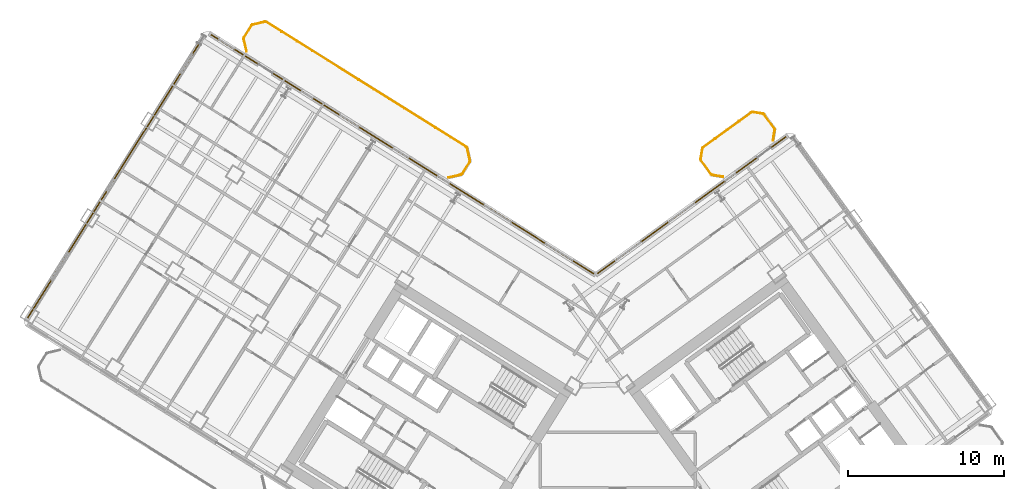
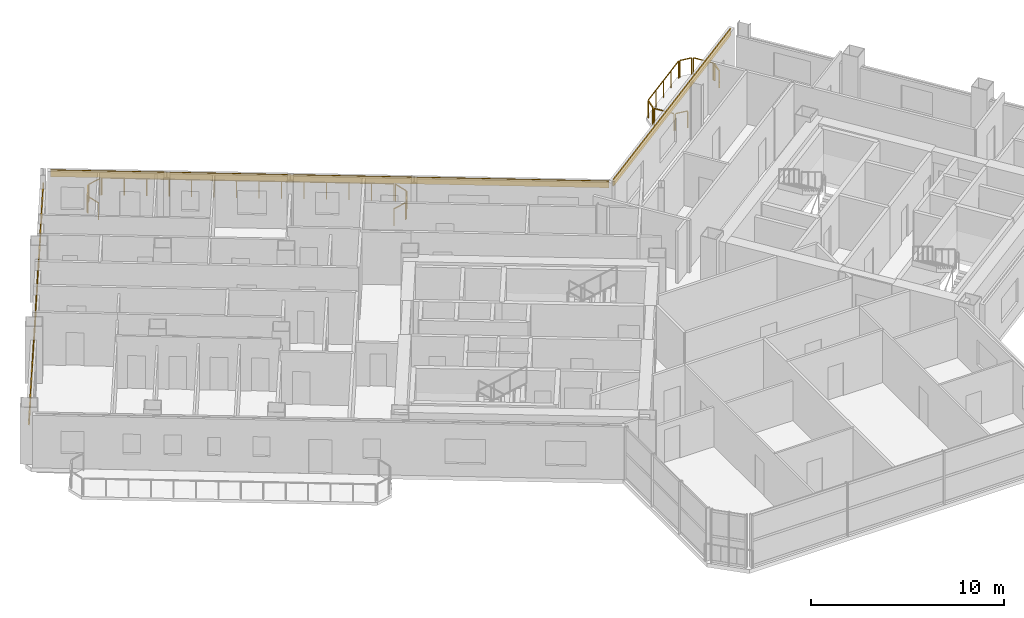
# One storey, part 22 of 22: 14 railings, 3 coverings.
"""IFC4 building model written with IfcOpenShell, lengths in metres."""

from ifc_helpers import new_model, si_unit, direction, frame, origin, origin_2d, place, context, subcontext, project, spatial, rectangle, extrude, source, transform, mapped, material, layer, layer_set, type_object, element, save


model = new_model("IFC4")

# Units and contexts
model_context = context("Model", 3, precision=1e-05, world=origin(), true_north=direction((0.0, 1.0)))
body_context = subcontext(model_context, "Body", "Model", "MODEL_VIEW")
ifc_project = project(units=[si_unit("LENGTHUNIT", "METRE"), si_unit("AREAUNIT", "SQUARE_METRE"), si_unit("VOLUMEUNIT", "CUBIC_METRE"), si_unit("PLANEANGLEUNIT", "RADIAN"), si_unit("MASSUNIT", "GRAM", prefix="KILO")], contexts=[model_context])

# Site, building, storey
site_placement = place(None, origin())
site = spatial("IfcSite", under=ifc_project, at=site_placement, CompositionType="ELEMENT")
building_placement = place(site_placement, origin())
building = spatial("IfcBuilding", under=site, at=building_placement, Name="Tlacorven Tower", CompositionType="ELEMENT")
storey_placement = place(building_placement, frame((0.0, 0.0, 97.199951171875)))
storey = spatial("IfcBuildingStorey", under=building, at=storey_placement, Name="L24", CompositionType="ELEMENT", Elevation=97.199951171875)

# Railings
ifc_material_1 = material(Name="Aluminium and painted steel balustrade", Category="steel")
railing_type = type_object("IfcRailingType", Name="RL-BAL-1100", PredefinedType="BALUSTRADE", material=ifc_material_1)
shared_shape_1 = source(origin(), body_context, "Body", "SweptSolid", [
    extrude(rectangle(XDim=0.048095703125, YDim=0.048095703125, at=origin_2d()), frame((0.0, 0.0, 1.076171875), z_axis=(0.974345290916, 0.225058334816, 0.0), x_axis=(-0.225058334816, 0.974345290916, 0.0)), (0.0, 0.0, 1.0), 0.80712890625),
    extrude(rectangle(XDim=0.0419921875, YDim=0.0419921875, at=origin_2d()), origin(), (0.0, 0.0, 1.0), 1.052001953125),
    extrude(rectangle(XDim=0.0419921875, YDim=0.0419921875, at=origin_2d()), frame((0.786376953125, 0.181640625, 0.0)), (0.0, 0.0, 1.0), 1.052001953125),
])
railing_1_placement = place(storey_placement, frame((20.2138671875, 47.643798828125, 0.0)))
element("IfcRailing", 1, at=railing_1_placement, inside=storey, type_object=railing_type, Name="BAL-L24-W-IN Guard Railing 6", PredefinedType="BALUSTRADE", context=body_context, shape_type="MappedRepresentation", body=[
    mapped(shared_shape_1, transform((0.0, 0.0, 0.0), scale=1.0)),
])
shared_shape_2 = source(origin(), body_context, "Body", "SweptSolid", [
    extrude(rectangle(XDim=0.048095703125, YDim=0.048095703125, at=origin_2d()), frame((0.0, 0.0, 1.076171875), z_axis=(-0.987661653326, 0.156602868908, 0.0), x_axis=(-0.156602868908, -0.987661653326, 0.0)), (0.0, 0.0, 1.0), 0.665771484375),
    extrude(rectangle(XDim=0.0419921875, YDim=0.0419921875, at=origin_2d()), origin(), (0.0, 0.0, 1.0), 1.052001953125),
    extrude(rectangle(XDim=0.0419921875, YDim=0.0419921875, at=origin_2d()), frame((-0.657470703125, 0.104248046875, 0.0)), (0.0, 0.0, 1.0), 1.052001953125),
])
railing_2_placement = place(storey_placement, frame((50.359130859375, 37.891845703125, 0.0)))
element("IfcRailing", 2, at=railing_2_placement, inside=storey, type_object=railing_type, Name="BAL-L24-E-IN Guard Railing 1", PredefinedType="BALUSTRADE", context=body_context, shape_type="MappedRepresentation", body=[
    mapped(shared_shape_2, transform((0.0, 0.0, 0.0), scale=1.0)),
])
shared_shape_3 = source(origin(), body_context, "Body", "SweptSolid", [
    extrude(rectangle(XDim=0.048095703125, YDim=0.048095703125, at=origin_2d()), frame((0.0, 0.0, 1.076171875), z_axis=(0.156602868908, 0.987661653326, 0.0), x_axis=(-0.987661653326, 0.156602868908, 0.0)), (0.0, 0.0, 1.0), 0.665771484375),
    extrude(rectangle(XDim=0.0419921875, YDim=0.0419921875, at=origin_2d()), origin(), (0.0, 0.0, 1.0), 1.052001953125),
    extrude(rectangle(XDim=0.0419921875, YDim=0.0419921875, at=origin_2d()), frame((0.104248046875, 0.657470703125, 0.0)), (0.0, 0.0, 1.0), 1.052001953125),
])
railing_3_placement = place(storey_placement, frame((48.947509765625, 39.033935546875, 0.0)))
element("IfcRailing", 3, at=railing_3_placement, inside=storey, type_object=railing_type, Name="BAL-L24-E-IN Guard Railing 3", PredefinedType="BALUSTRADE", context=body_context, shape_type="MappedRepresentation", body=[
    mapped(shared_shape_3, transform((0.0, 0.0, 0.0), scale=1.0)),
])
shared_shape_4 = source(origin(), body_context, "Body", "SweptSolid", [
    extrude(rectangle(XDim=0.048095703125, YDim=0.048095703125, at=origin_2d()), frame((0.0, 0.0, 1.076171875), z_axis=(-0.156245081039, -0.987718317463, 0.0), x_axis=(0.987718317463, -0.156245081039, 0.0)), (0.0, 0.0, 1.0), 0.66552734375),
    extrude(rectangle(XDim=0.0419921875, YDim=0.0419921875, at=origin_2d()), origin(), (0.0, 0.0, 1.0), 1.052001953125),
    extrude(rectangle(XDim=0.0419921875, YDim=0.0419921875, at=origin_2d()), frame((-0.10400390625, -0.657470703125, 0.0)), (0.0, 0.0, 1.0), 1.052001953125),
])
railing_4_placement = place(storey_placement, frame((53.689453125, 40.893310546875, 0.0)))
element("IfcRailing", 4, at=railing_4_placement, inside=storey, type_object=railing_type, Name="BAL-L24-E-IN Guard Railing 7", PredefinedType="BALUSTRADE", context=body_context, shape_type="MappedRepresentation", body=[
    mapped(shared_shape_4, transform((0.0, 0.0, 0.0), scale=1.0)),
])

# Covering
ifc_material_2 = material(Name="Precast concrete C45/55", Category="concrete")
ifc_layer = layer(ifc_material_2, 0.06005859375)
ifc_layer_set = layer_set([ifc_layer], Name="Precast concrete C45/55")
covering_type = type_object("IfcCoveringType", Name="CV-CLD-TERC", PredefinedType="CLADDING", material=ifc_layer_set)
shared_shape_5 = source(origin(), body_context, "Body", "SweptSolid", [
    extrude(rectangle(XDim=21.287353515625, YDim=0.06005859375, at=origin_2d()), origin(), (0.0, 0.0, 1.0), 0.419921875),
])
covering_1_placement = place(storey_placement, frame((11.419677734375, 37.864013671875, 2.3251953125), z_axis=(0.0, 0.0, 1.0), x_axis=(0.529919147866, 0.848048168871, 0.0)))
element("IfcCovering", 5, at=covering_1_placement, inside=storey, type_object=covering_type, Name="L24 Masonry-Frame Spandrel Cladding 2", PredefinedType="CLADDING", context=body_context, shape_type="MappedRepresentation", body=[
    mapped(shared_shape_5, transform((0.0, 0.0, 0.0), scale=1.0)),
])

# Railings
shared_shape_6 = source(origin(), body_context, "Body", "SweptSolid", [
    extrude(rectangle(XDim=0.048095703125, YDim=0.048095703125, at=origin_2d()), frame((0.0, 0.0, 1.076171875), z_axis=(0.529998940003, 0.847998304005, 0.0), x_axis=(-0.847998304005, 0.529998940003, 0.0)), (0.0, 0.0, 1.0), 0.912109375),
    extrude(rectangle(XDim=0.0419921875, YDim=0.0419921875, at=origin_2d()), origin(), (0.0, 0.0, 1.0), 1.052001953125),
    extrude(rectangle(XDim=0.0419921875, YDim=0.0419921875, at=origin_2d()), frame((0.4833984375, 0.7734375, 0.0)), (0.0, 0.0, 1.0), 1.052001953125),
])
railing_5_placement = place(storey_placement, frame((19.6552734375, 46.816650390625, 0.0)))
element("IfcRailing", 6, at=railing_5_placement, inside=storey, type_object=railing_type, Name="BAL-L24-W-IN Guard Railing 5", PredefinedType="BALUSTRADE", context=body_context, shape_type="MappedRepresentation", body=[
    mapped(shared_shape_6, transform((0.0, 0.0, 0.0), scale=1.0)),
])
shared_shape_7 = source(origin(), body_context, "Body", "SweptSolid", [
    extrude(rectangle(XDim=0.048095703125, YDim=0.048095703125, at=origin_2d()), frame((0.0, 0.0, 1.076171875), z_axis=(0.224992020761, -0.974360606036, 0.0), x_axis=(0.974360606036, 0.224992020761, 0.0)), (0.0, 0.0, 1.0), 0.807373046875),
    extrude(rectangle(XDim=0.0419921875, YDim=0.0419921875, at=origin_2d()), origin(), (0.0, 0.0, 1.0), 1.052001953125),
    extrude(rectangle(XDim=0.0419921875, YDim=0.0419921875, at=origin_2d()), frame((0.181640625, -0.78662109375, 0.0)), (0.0, 0.0, 1.0), 1.052001953125),
])
railing_6_placement = place(storey_placement, frame((33.965087890625, 39.72412109375, 0.0)))
element("IfcRailing", 7, at=railing_6_placement, inside=storey, type_object=railing_type, Name="BAL-L24-W-IN Guard Railing 1", PredefinedType="BALUSTRADE", context=body_context, shape_type="MappedRepresentation", body=[
    mapped(shared_shape_7, transform((0.0, 0.0, 0.0), scale=1.0)),
])
shared_shape_8 = source(origin(), body_context, "Body", "SweptSolid", [
    extrude(rectangle(XDim=0.048095703125, YDim=0.048095703125, at=origin_2d()), frame((0.0, 0.0, 1.076171875), z_axis=(-0.529998940003, -0.847998304005, 0.0), x_axis=(0.847998304005, -0.529998940003, 0.0)), (0.0, 0.0, 1.0), 0.912109375),
    extrude(rectangle(XDim=0.0419921875, YDim=0.0419921875, at=origin_2d()), origin(), (0.0, 0.0, 1.0), 1.052001953125),
    extrude(rectangle(XDim=0.0419921875, YDim=0.0419921875, at=origin_2d()), frame((-0.4833984375, -0.7734375, 0.0)), (0.0, 0.0, 1.0), 1.052001953125),
])
railing_7_placement = place(storey_placement, frame((34.131591796875, 38.846435546875, 0.0)))
element("IfcRailing", 8, at=railing_7_placement, inside=storey, type_object=railing_type, Name="BAL-L24-W-IN Guard Railing 2", PredefinedType="BALUSTRADE", context=body_context, shape_type="MappedRepresentation", body=[
    mapped(shared_shape_8, transform((0.0, 0.0, 0.0), scale=1.0)),
])
shared_shape_9 = source(origin(), body_context, "Body", "SweptSolid", [
    extrude(rectangle(XDim=0.048095703125, YDim=0.048095703125, at=origin_2d()), frame((0.0, 0.0, 1.076171875), z_axis=(-0.974360606036, -0.224992020761, 0.0), x_axis=(0.224992020761, -0.974360606036, 0.0)), (0.0, 0.0, 1.0), 0.807373046875),
    extrude(rectangle(XDim=0.0419921875, YDim=0.0419921875, at=origin_2d()), origin(), (0.0, 0.0, 1.0), 1.052001953125),
    extrude(rectangle(XDim=0.0419921875, YDim=0.0419921875, at=origin_2d()), frame((-0.78662109375, -0.181640625, 0.0)), (0.0, 0.0, 1.0), 1.052001953125),
])
railing_8_placement = place(storey_placement, frame((33.572998046875, 38.019287109375, 0.0)))
element("IfcRailing", 9, at=railing_8_placement, inside=storey, type_object=railing_type, Name="BAL-L24-W-IN Guard Railing 3", PredefinedType="BALUSTRADE", context=body_context, shape_type="MappedRepresentation", body=[
    mapped(shared_shape_9, transform((0.0, 0.0, 0.0), scale=1.0)),
])
shared_shape_10 = source(origin(), body_context, "Body", "SweptSolid", [
    extrude(rectangle(XDim=0.048095703125, YDim=0.048095703125, at=origin_2d()), frame((0.0, 0.0, 1.076171875), z_axis=(-0.22470489119, 0.974426863277, 0.0), x_axis=(-0.974426863277, -0.22470489119, 0.0)), (0.0, 0.0, 1.0), 0.807373046875),
    extrude(rectangle(XDim=0.0419921875, YDim=0.0419921875, at=origin_2d()), origin(), (0.0, 0.0, 1.0), 1.052001953125),
    extrude(rectangle(XDim=0.0419921875, YDim=0.0419921875, at=origin_2d()), frame((-0.181396484375, 0.78662109375, 0.0)), (0.0, 0.0, 1.0), 1.052001953125),
])
railing_9_placement = place(storey_placement, frame((19.821533203125, 45.93896484375, 0.0)))
element("IfcRailing", 10, at=railing_9_placement, inside=storey, type_object=railing_type, Name="BAL-L24-W-IN Guard Railing 4", PredefinedType="BALUSTRADE", context=body_context, shape_type="MappedRepresentation", body=[
    mapped(shared_shape_10, transform((0.0, 0.0, 0.0), scale=1.0)),
])
shared_shape_11 = source(origin(), body_context, "Body", "SweptSolid", [
    extrude(rectangle(XDim=0.048095703125, YDim=0.048095703125, at=origin_2d()), frame((0.0, 0.0, 1.076171875), z_axis=(0.848051830527, -0.529913287944, 0.0), x_axis=(0.529913287944, 0.848051830527, 0.0)), (0.0, 0.0, 1.0), 15.1171875),
    extrude(rectangle(XDim=0.0419921875, YDim=0.0419921875, at=origin_2d()), origin(), (0.0, 0.0, 1.0), 1.052001953125),
    extrude(rectangle(XDim=0.0419921875, YDim=0.0419921875, at=origin_2d()), frame((0.986083984375, -0.6162109375, 0.0)), (0.0, 0.0, 1.0), 1.052001953125),
    extrude(rectangle(XDim=0.0419921875, YDim=0.0419921875, at=origin_2d()), frame((1.972412109375, -1.232421875, 0.0)), (0.0, 0.0, 1.0), 1.052001953125),
    extrude(rectangle(XDim=0.0419921875, YDim=0.0419921875, at=origin_2d()), frame((2.95849609375, -1.8486328125, 0.0)), (0.0, 0.0, 1.0), 1.052001953125),
    extrude(rectangle(XDim=0.0419921875, YDim=0.0419921875, at=origin_2d()), frame((3.944580078125, -2.46484375, 0.0)), (0.0, 0.0, 1.0), 1.052001953125),
    extrude(rectangle(XDim=0.0419921875, YDim=0.0419921875, at=origin_2d()), frame((4.930908203125, -3.0810546875, 0.0)), (0.0, 0.0, 1.0), 1.052001953125),
    extrude(rectangle(XDim=0.0419921875, YDim=0.0419921875, at=origin_2d()), frame((5.9169921875, -3.697265625, 0.0)), (0.0, 0.0, 1.0), 1.052001953125),
    extrude(rectangle(XDim=0.0419921875, YDim=0.0419921875, at=origin_2d()), frame((6.903076171875, -4.3134765625, 0.0)), (0.0, 0.0, 1.0), 1.052001953125),
    extrude(rectangle(XDim=0.0419921875, YDim=0.0419921875, at=origin_2d()), frame((7.88916015625, -4.9296875, 0.0)), (0.0, 0.0, 1.0), 1.052001953125),
    extrude(rectangle(XDim=0.0419921875, YDim=0.0419921875, at=origin_2d()), frame((8.87548828125, -5.5458984375, 0.0)), (0.0, 0.0, 1.0), 1.052001953125),
    extrude(rectangle(XDim=0.0419921875, YDim=0.0419921875, at=origin_2d()), frame((9.861572265625, -6.162109375, 0.0)), (0.0, 0.0, 1.0), 1.052001953125),
    extrude(rectangle(XDim=0.0419921875, YDim=0.0419921875, at=origin_2d()), frame((10.84765625, -6.7783203125, 0.0)), (0.0, 0.0, 1.0), 1.052001953125),
    extrude(rectangle(XDim=0.0419921875, YDim=0.0419921875, at=origin_2d()), frame((11.833984375, -7.39453125, 0.0)), (0.0, 0.0, 1.0), 1.052001953125),
    extrude(rectangle(XDim=0.0419921875, YDim=0.0419921875, at=origin_2d()), frame((12.820068359375, -8.0107421875, 0.0)), (0.0, 0.0, 1.0), 1.052001953125),
])
railing_10_placement = place(storey_placement, frame((21.091552734375, 47.81005859375, 0.0)))
element("IfcRailing", 11, at=railing_10_placement, inside=storey, type_object=railing_type, Name="BAL-L24-W-IN Guard Railing 7", PredefinedType="BALUSTRADE", context=body_context, shape_type="MappedRepresentation", body=[
    mapped(shared_shape_11, transform((0.0, 0.0, 0.0), scale=1.0)),
])
shared_shape_12 = source(origin(), body_context, "Body", "SweptSolid", [
    extrude(rectangle(XDim=0.048095703125, YDim=0.048095703125, at=origin_2d()), frame((0.0, 0.0, 1.076171875), z_axis=(-0.587636431696, 0.809125097957, 0.0), x_axis=(-0.809125097957, -0.587636431696, 0.0)), (0.0, 0.0, 1.0), 1.1123046875),
    extrude(rectangle(XDim=0.0419921875, YDim=0.0419921875, at=origin_2d()), origin(), (0.0, 0.0, 1.0), 1.052001953125),
    extrude(rectangle(XDim=0.0419921875, YDim=0.0419921875, at=origin_2d()), frame((-0.653564453125, 0.89990234375, 0.0)), (0.0, 0.0, 1.0), 1.052001953125),
])
railing_11_placement = place(storey_placement, frame((49.622802734375, 38.044189453125, 0.0)))
element("IfcRailing", 12, at=railing_11_placement, inside=storey, type_object=railing_type, Name="BAL-L24-E-IN Guard Railing 2", PredefinedType="BALUSTRADE", context=body_context, shape_type="MappedRepresentation", body=[
    mapped(shared_shape_12, transform((0.0, 0.0, 0.0), scale=1.0)),
])
shared_shape_13 = source(origin(), body_context, "Body", "SweptSolid", [
    extrude(rectangle(XDim=0.048095703125, YDim=0.048095703125, at=origin_2d()), frame((0.0, 0.0, 1.076171875), z_axis=(0.809018102573, 0.587783726986, 0.0), x_axis=(-0.587783726986, 0.809018102573, 0.0)), (0.0, 0.0, 1.0), 3.817138671875),
    extrude(rectangle(XDim=0.0419921875, YDim=0.0419921875, at=origin_2d()), origin(), (0.0, 0.0, 1.0), 1.052001953125),
    extrude(rectangle(XDim=0.0419921875, YDim=0.0419921875, at=origin_2d()), frame((0.77197265625, 0.56103515625, 0.0)), (0.0, 0.0, 1.0), 1.052001953125),
    extrude(rectangle(XDim=0.0419921875, YDim=0.0419921875, at=origin_2d()), frame((1.5439453125, 1.121826171875, 0.0)), (0.0, 0.0, 1.0), 1.052001953125),
    extrude(rectangle(XDim=0.0419921875, YDim=0.0419921875, at=origin_2d()), frame((2.316162109375, 1.6826171875, 0.0)), (0.0, 0.0, 1.0), 1.052001953125),
    extrude(rectangle(XDim=0.0419921875, YDim=0.0419921875, at=origin_2d()), frame((3.088134765625, 2.24365234375, 0.0)), (0.0, 0.0, 1.0), 1.052001953125),
])
railing_12_placement = place(storey_placement, frame((49.10009765625, 39.77001953125, 0.0)))
element("IfcRailing", 13, at=railing_12_placement, inside=storey, type_object=railing_type, Name="BAL-L24-E-IN Guard Railing 4", PredefinedType="BALUSTRADE", context=body_context, shape_type="MappedRepresentation", body=[
    mapped(shared_shape_13, transform((0.0, 0.0, 0.0), scale=1.0)),
])
shared_shape_14 = source(origin(), body_context, "Body", "SweptSolid", [
    extrude(rectangle(XDim=0.048095703125, YDim=0.048095703125, at=origin_2d()), frame((0.0, 0.0, 1.076171875), z_axis=(0.987661653326, -0.156602868908, 0.0), x_axis=(0.156602868908, 0.987661653326, 0.0)), (0.0, 0.0, 1.0), 0.665771484375),
    extrude(rectangle(XDim=0.0419921875, YDim=0.0419921875, at=origin_2d()), origin(), (0.0, 0.0, 1.0), 1.052001953125),
    extrude(rectangle(XDim=0.0419921875, YDim=0.0419921875, at=origin_2d()), frame((0.657470703125, -0.104248046875, 0.0)), (0.0, 0.0, 1.0), 1.052001953125),
])
railing_13_placement = place(storey_placement, frame((52.278076171875, 42.035400390625, 0.0)))
element("IfcRailing", 14, at=railing_13_placement, inside=storey, type_object=railing_type, Name="BAL-L24-E-IN Guard Railing 5", PredefinedType="BALUSTRADE", context=body_context, shape_type="MappedRepresentation", body=[
    mapped(shared_shape_14, transform((0.0, 0.0, 0.0), scale=1.0)),
])
shared_shape_15 = source(origin(), body_context, "Body", "SweptSolid", [
    extrude(rectangle(XDim=0.048095703125, YDim=0.048095703125, at=origin_2d()), frame((0.0, 0.0, 1.076171875), z_axis=(0.587780115446, -0.809020726488, 0.0), x_axis=(0.809020726488, 0.587780115446, 0.0)), (0.0, 0.0, 1.0), 1.1123046875),
    extrude(rectangle(XDim=0.0419921875, YDim=0.0419921875, at=origin_2d()), origin(), (0.0, 0.0, 1.0), 1.052001953125),
    extrude(rectangle(XDim=0.0419921875, YDim=0.0419921875, at=origin_2d()), frame((0.65380859375, -0.89990234375, 0.0)), (0.0, 0.0, 1.0), 1.052001953125),
])
railing_14_placement = place(storey_placement, frame((53.01416015625, 41.883056640625, 0.0)))
element("IfcRailing", 15, at=railing_14_placement, inside=storey, type_object=railing_type, Name="BAL-L24-E-IN Guard Railing 6", PredefinedType="BALUSTRADE", context=body_context, shape_type="MappedRepresentation", body=[
    mapped(shared_shape_15, transform((0.0, 0.0, 0.0), scale=1.0)),
])

# Coverings
shared_shape_16 = source(origin(), body_context, "Body", "SweptSolid", [
    extrude(rectangle(XDim=28.923095703125, YDim=0.06005859375, at=origin_2d()), origin(), (0.0, 0.0, 1.0), 0.419921875),
])
covering_2_placement = place(storey_placement, frame((29.815185546875, 39.34033203125, 2.900146484375), z_axis=(0.0, 0.0, 1.0), x_axis=(0.848048220257, -0.52991906563, 0.0)))
element("IfcCovering", 16, at=covering_2_placement, inside=storey, type_object=covering_type, Name="L24 Masonry-Frame Spandrel Cladding 3", PredefinedType="CLADDING", context=body_context, shape_type="MappedRepresentation", body=[
    mapped(shared_shape_16, transform((0.0, 0.0, 0.0), scale=1.0)),
])
shared_shape_17 = source(origin(), body_context, "Body", "SweptSolid", [
    extrude(rectangle(XDim=14.923095703125, YDim=0.06005859375, at=origin_2d()), origin(), (0.0, 0.0, 1.0), 0.419921875),
])
covering_3_placement = place(storey_placement, frame((48.3642578125, 36.0712890625, 2.900146484375), z_axis=(0.0, 0.0, 1.0), x_axis=(0.809016703631, 0.587785652468, 0.0)))
element("IfcCovering", 17, at=covering_3_placement, inside=storey, type_object=covering_type, Name="L24 Masonry-Frame Spandrel Cladding 4", PredefinedType="CLADDING", context=body_context, shape_type="MappedRepresentation", body=[
    mapped(shared_shape_17, transform((0.0, 0.0, 0.0), scale=1.0)),
])

save(model, "model.ifc")
